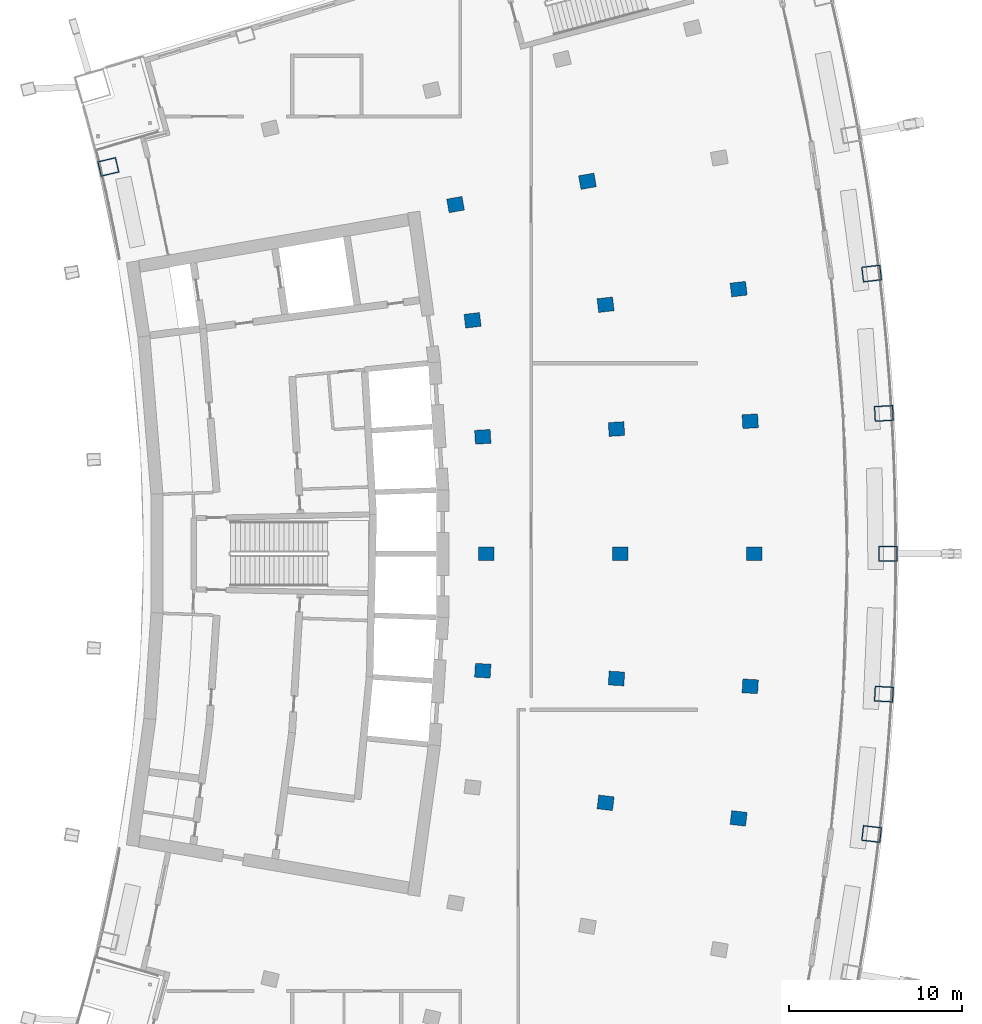
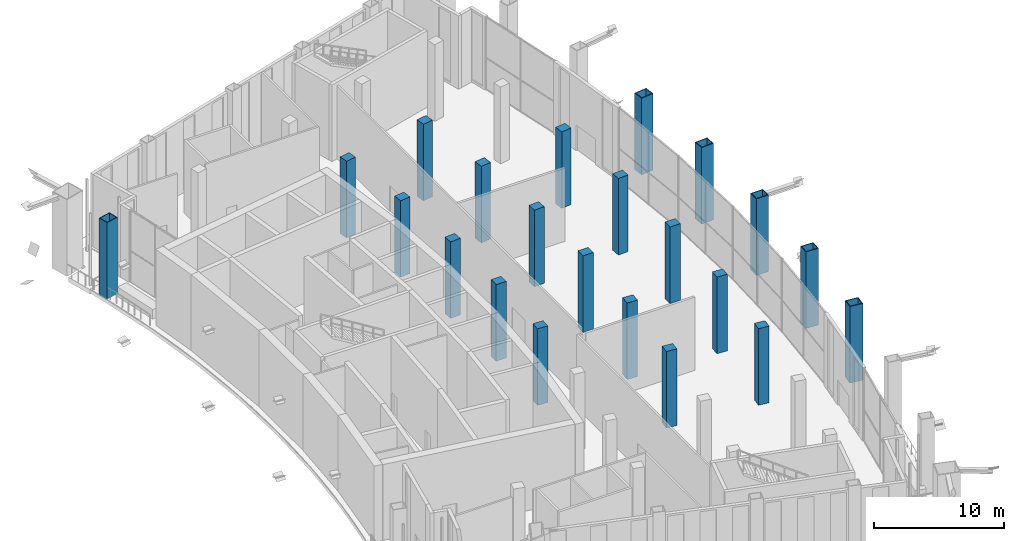
# One storey, part 6 of 26: 22 columns.
"""IFC4 building model written with IfcOpenShell, lengths in metres."""

from ifc_helpers import new_model, si_unit, direction, frame, origin, origin_2d, place, context, subcontext, project, spatial, rectangle, hollow_rectangle, extrude, material, material_profile, profile_set, type_object, element, save


model = new_model("IFC4")

# Units and contexts
model_context = context("Model", 3, precision=1e-05, world=origin(), true_north=direction((0.0, 1.0)))
body_context = subcontext(model_context, "Body", "Model", "MODEL_VIEW")
ifc_project = project(units=[si_unit("LENGTHUNIT", "METRE"), si_unit("AREAUNIT", "SQUARE_METRE"), si_unit("VOLUMEUNIT", "CUBIC_METRE"), si_unit("PLANEANGLEUNIT", "RADIAN"), si_unit("MASSUNIT", "GRAM", prefix="KILO")], contexts=[model_context])

# Site, building, storey
site_placement = place(None, origin())
site = spatial("IfcSite", under=ifc_project, at=site_placement, CompositionType="ELEMENT")
building_placement = place(site_placement, origin())
building = spatial("IfcBuilding", under=site, at=building_placement, Name="Alderwake Tower", CompositionType="ELEMENT")
storey_placement = place(building_placement, frame((0.0, 0.0, 182.0)))
storey = spatial("IfcBuildingStorey", under=building, at=storey_placement, Name="L45", CompositionType="ELEMENT", Elevation=182.0)

# Columns
ifc_material_1 = material(Name="Concrete C70/85", Category="concrete")
ifc_material_profile_1 = material_profile(ifc_material_1, rectangle(XDim=0.800048828125, YDim=0.89990234375, at=origin_2d()), Name="RC 900X800")
ifc_profile_set_1 = profile_set([ifc_material_profile_1], Name="Concrete C70/85")
column_type_1 = type_object("IfcColumnType", Name="Interior column Z3", PredefinedType="COLUMN", material=ifc_profile_set_1)
for number, where, z_axis, x_axis, name in (
    (1, (42.693603515625, 46.62060546875, 0.0), (0.0, 0.0, 1.0), (0.116402054316, 0.993202175668, 0.0), "Column R05-C3"),
    (2, (50.37451171875, 45.72021484375, 0.0), (0.0, 0.0, 1.0), (0.116402054316, 0.993202175668, 0.0), "Column R05-C4"),
    (3, (35.60302734375, 54.248779296875, 0.0), (0.0, 0.0, 1.0), (0.058301061284, 0.998299046505, 0.0), "Column R06-C2"),
    (4, (43.3232421875, 53.798095703125, 0.0), (0.0, 0.0, 1.0), (0.058299318924, 0.998299148258, 0.0), "Column R06-C3"),
    (5, (51.04345703125, 53.34716796875, 0.0), (0.0, 0.0, 1.0), (0.058301061284, 0.998299046505, 0.0), "Column R06-C4"),
    (6, (35.800048828125, 61.0, 0.0), (0.0, 0.0, 1.0), (0.0, 1.0, 0.0), "Column R07-C2"),
    (7, (43.533203125, 61.0, 0.0), (0.0, 0.0, 1.0), (0.0, 1.0, 0.0), "Column R07-C3"),
    (8, (51.2666015625, 61.0, 0.0), (0.0, 0.0, 1.0), (0.0, 1.0, 0.0), "Column R07-C4"),
    (9, (35.60302734375, 67.751220703125, 0.0), (0.0, 0.0, 1.0), (-0.058301061284, 0.998299046505, 0.0), "Column R08-C2"),
    (10, (43.3232421875, 68.201904296875, 0.0), (0.0, 0.0, 1.0), (-0.058299318924, 0.998299148258, 0.0), "Column R08-C3"),
    (11, (51.04345703125, 68.65283203125, 0.0), (0.0, 0.0, 1.0), (-0.058301061284, 0.998299046505, 0.0), "Column R08-C4"),
    (12, (35.0126953125, 74.4794921875, 0.0), (0.0, 0.0, 1.0), (-0.116402054316, 0.993202175668, 0.0), "Column R09-C2"),
    (13, (42.693603515625, 75.37939453125, 0.0), (0.0, 0.0, 1.0), (-0.116402054316, 0.993202175668, 0.0), "Column R09-C3"),
    (14, (50.37451171875, 76.27978515625, 0.0), (0.0, 0.0, 1.0), (-0.116402054316, 0.993202175668, 0.0), "Column R09-C4"),
    (15, (34.03125, 81.16162109375, 0.0), (0.0, 0.0, 1.0), (-0.174108800747, 0.984726421654, 0.0), "Column R10-C2"),
    (16, (41.646484375, 82.50830078125, 0.0), (0.0, 0.0, 1.0), (-0.174108800747, 0.984726421654, 0.0), "Column R10-C3"),
):
    element("IfcColumn", number, at=place(storey_placement, frame(where, z_axis=z_axis, x_axis=x_axis)), inside=storey, type_object=column_type_1, Name=name, PredefinedType="COLUMN", context=body_context, shape_type="SweptSolid", body=[
        extrude(rectangle(XDim=0.800048828125, YDim=0.89990234375, at=origin_2d()), origin(), (0.0, 0.0, 1.0), 7.199951171875),
    ])
ifc_material_2 = material(Name="Steel ASTM A572 Grade 50 concrete filled C70/85", Category="concrete")
ifc_material_profile_2 = material_profile(ifc_material_2, hollow_rectangle(XDim=0.89990234375, YDim=1.10009765625, WallThickness=0.06005859375, at=origin_2d()), Name="BOX 1100X900X60")
ifc_profile_set_2 = profile_set([ifc_material_profile_2], Name="Steel ASTM A572 Grade 50 concrete filled C70/85")
column_type_2 = type_object("IfcColumnType", Name="Perimeter column Z3", PredefinedType="COLUMN", material=ifc_profile_set_2)
for number, where, z_axis, x_axis, name in (
    (17, (58.05517578125, 44.820068359375, 0.0), (0.0, 0.0, 1.0), (0.116402054316, 0.993202175668, 0.0), "Column R05-C5"),
    (18, (58.763671875, 52.896240234375, 0.0), (0.0, 0.0, 1.0), (0.058299318924, 0.998299148258, 0.0), "Column R06-C5"),
    (19, (59.0, 61.0, 0.0), (0.0, 0.0, 1.0), (0.0, 1.0, 0.0), "Column R07-C5"),
    (20, (58.763671875, 69.103759765625, 0.0), (0.0, 0.0, 1.0), (-0.058299318924, 0.998299148258, 0.0), "Column R08-C5"),
    (21, (58.05517578125, 77.179931640625, 0.0), (0.0, 0.0, 1.0), (-0.116402054316, 0.993202175668, 0.0), "Column R09-C5"),
    (22, (13.982177734375, 83.3359375, 0.0), (0.0, 0.0, 1.0), (-0.231221547198, 0.972901123502, 0.0), "Column R11-C0"),
):
    element("IfcColumn", number, at=place(storey_placement, frame(where, z_axis=z_axis, x_axis=x_axis)), inside=storey, type_object=column_type_2, Name=name, PredefinedType="COLUMN", context=body_context, shape_type="SweptSolid", body=[
        extrude(hollow_rectangle(XDim=0.89990234375, YDim=1.10009765625, WallThickness=0.06005859375, at=origin_2d()), origin(), (0.0, 0.0, 1.0), 7.199951171875),
    ])

save(model, "model.ifc")
